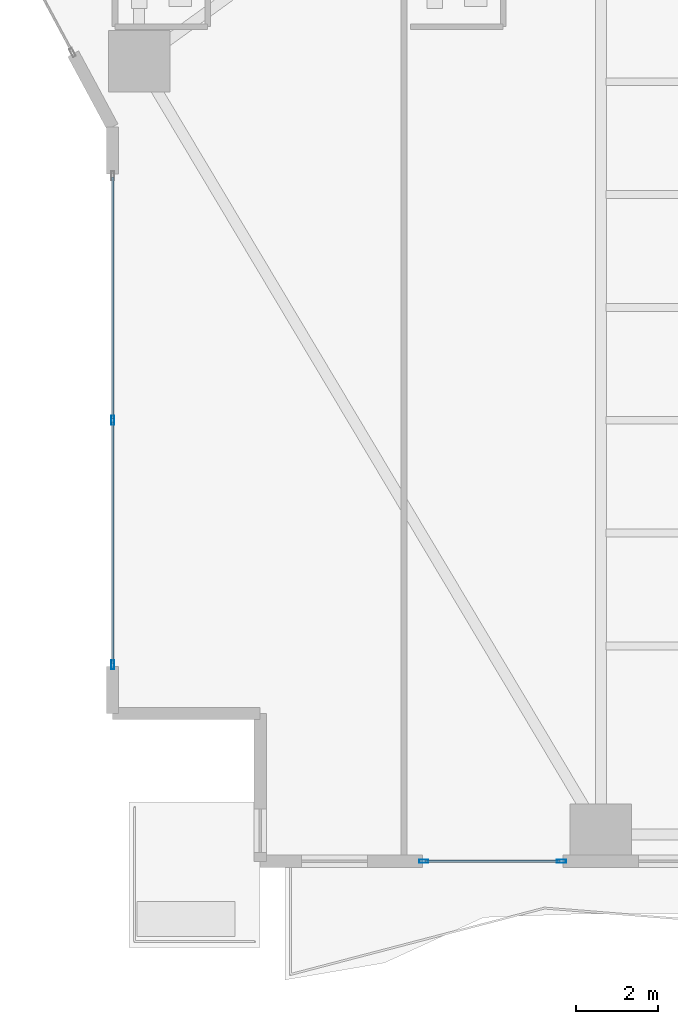
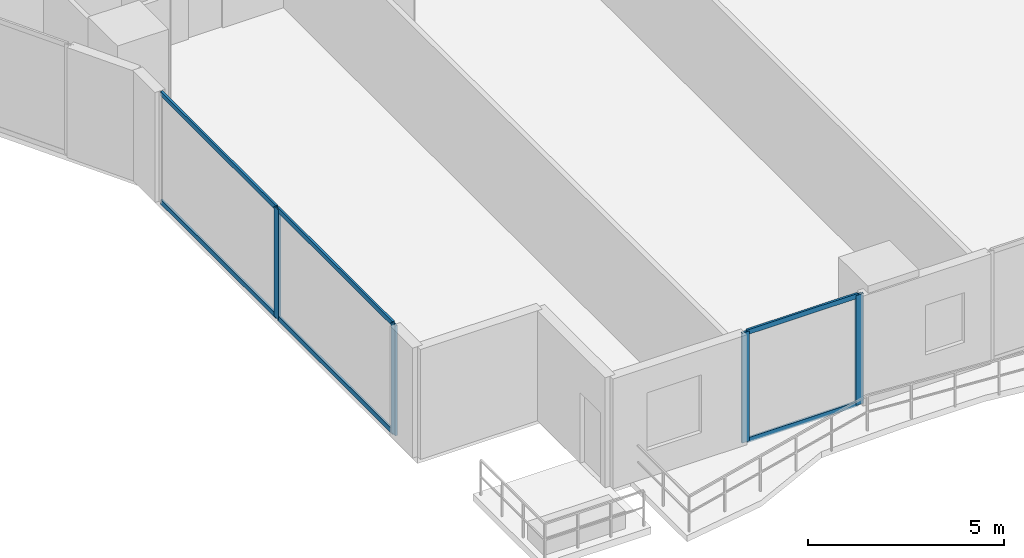
# One storey, part 2 of 28: 10 members, 2 elements without a shape of their own.
"""IFC4 building model written with IfcOpenShell, lengths in metres."""

import ifcopenshell
import ifcopenshell.guid

model = None  # the IFC model being written
_history = None  # IfcOwnerHistory: only IFC2X3 demands one
_inside = {}  # id of a spatial element -> (the spatial element, [elements in it])
_under = {}  # id of a project, library or spatial element -> (it, [spatial elements below it])
_declared = {}  # id of a project -> (the project, [libraries it declares])
_typed = {}  # id of a type object -> (the type object, [elements of that type])
_made_of = {}  # id of a material, layer set ... -> (it, [elements and type objects made of it])


def new_model(schema):
    """Start an empty IFC model of exactly this schema.

    Asked for "IFC4X3", IfcOpenShell would pick the latest addendum, in which some entities
    have other attributes; the version numbers below select the first issue.
    IFC2X3 requires an IfcOwnerHistory on every rooted entity: one is made here for all.
    """
    global model, _history
    if schema == "IFC4X3":
        model = ifcopenshell.file(schema_version=(4, 3, 0, 0))
    else:
        model = ifcopenshell.file(schema=schema)
    _inside.clear()
    _under.clear()
    _declared.clear()
    _typed.clear()
    _made_of.clear()
    _history = None
    if model.schema == "IFC2X3":
        org = make("IfcOrganization", Name="unknown")
        user = make(
            "IfcPersonAndOrganization",
            ThePerson=make("IfcPerson", FamilyName="unknown"),
            TheOrganization=org,
        )
        app = make(
            "IfcApplication",
            ApplicationDeveloper=org,
            Version="unknown",
            ApplicationFullName="unknown",
            ApplicationIdentifier="unknown",
        )
        _history = make(
            "IfcOwnerHistory",
            OwningUser=user,
            OwningApplication=app,
            ChangeAction="ADDED",
            CreationDate=0,
        )
    return model


def make(cls, **values):
    """One entity of the class cls with the attributes given. An attribute that is None is left unset."""
    return model.create_entity(
        cls, **{name: value for name, value in values.items() if value is not None}
    )


def rooted(cls, **values):
    """An entity with a GlobalId (a new one), such as an element, a storey or a relation."""
    return make(cls, GlobalId=ifcopenshell.guid.new(), OwnerHistory=_history, **values)


def si_unit(unit_type, name, prefix=None):
    """IfcSIUnit, for example si_unit("LENGTHUNIT", "METRE", prefix="MILLI")."""
    return make("IfcSIUnit", UnitType=unit_type, Prefix=prefix, Name=name)


def assignment(units):
    """IfcUnitAssignment: the units of a project."""
    return None if units is None else make("IfcUnitAssignment", Units=units)


def point(xyz):
    """IfcCartesianPoint."""
    return None if xyz is None else make("IfcCartesianPoint", Coordinates=xyz)


def direction(xyz):
    """IfcDirection."""
    return None if xyz is None else make("IfcDirection", DirectionRatios=xyz)


def frame(location, z_axis=None, x_axis=None):
    """IfcAxis2Placement3D, a coordinate frame: its origin and axes. An axis left out is left unset."""
    return make(
        "IfcAxis2Placement3D",
        Location=point(location),
        Axis=direction(z_axis),
        RefDirection=direction(x_axis),
    )


def frame_2d(location, x_axis=None):
    """IfcAxis2Placement2D, a coordinate frame in the plane: its origin and x axis."""
    return make(
        "IfcAxis2Placement2D", Location=point(location), RefDirection=direction(x_axis)
    )


def origin():
    """The frame at (0, 0, 0) with its axes left unset."""
    return frame((0.0, 0.0, 0.0))


def origin_2d():
    """The frame at (0, 0) in the plane with its x axis left unset."""
    return frame_2d((0.0, 0.0))


def place(relative_to, where):
    """IfcLocalPlacement: puts the frame where relative to a parent placement (None: the world)."""
    return make(
        "IfcLocalPlacement", PlacementRelTo=relative_to, RelativePlacement=where
    )


def context(
    kind, dimensions, precision=None, world=None, true_north=None, identifier=None
):
    """IfcGeometricRepresentationContext, for example the 3D "Model" context."""
    return make(
        "IfcGeometricRepresentationContext",
        ContextIdentifier=identifier,
        ContextType=kind,
        CoordinateSpaceDimension=dimensions,
        Precision=precision,
        WorldCoordinateSystem=world,
        TrueNorth=true_north,
    )


def subcontext(parent, identifier, kind, view, scale=None):
    """IfcGeometricRepresentationSubContext, for example "Body" below "Model"."""
    return make(
        "IfcGeometricRepresentationSubContext",
        ContextIdentifier=identifier,
        ContextType=kind,
        ParentContext=parent,
        TargetScale=scale,
        TargetView=view,
    )


def project(units=None, contexts=None):
    """IfcProject with its units and contexts."""
    return rooted(
        "IfcProject",
        Name="project",
        RepresentationContexts=contexts,
        UnitsInContext=assignment(units),
    )


def spatial(cls, under=None, at=None, **own):
    """A site, building, storey or space (cls), placed at a placement, below another one or the project."""
    s = rooted(cls, ObjectPlacement=at, **own)
    if under is not None:
        _under.setdefault(under.id(), (under, []))[1].append(s)
    return s


def profile(cls, at=None, kind="AREA", **sizes):
    """A parametric profile (cls). Its sizes go by their IFC names, for example OverallWidth=200.0."""
    return make(cls, ProfileType=kind, Position=at, **sizes)


def hollow_rectangle(**sizes):
    """IfcRectangleHollowProfileDef."""
    return profile("IfcRectangleHollowProfileDef", **sizes)


def extrude(swept, where, along, depth):
    """IfcExtrudedAreaSolid: the profile swept, set in the frame where, extruded along a direction by depth."""
    return make(
        "IfcExtrudedAreaSolid",
        SweptArea=swept,
        Position=where,
        ExtrudedDirection=direction(along),
        Depth=depth,
    )


def shape(context_of_items, identifier, shape_type, items):
    """IfcShapeRepresentation: the items that make up one representation, for example the "Body"."""
    return make(
        "IfcShapeRepresentation",
        ContextOfItems=context_of_items,
        RepresentationIdentifier=identifier,
        RepresentationType=shape_type,
        Items=items,
    )


def material(Name=None, Category=None):
    """IfcMaterial."""
    return make("IfcMaterial", Name=Name, Category=Category)


def layer(
    of_material, thickness, ventilated=None, Name=None, Category=None, Priority=None
):
    """IfcMaterialLayer: one layer of a wall or slab, of a material (None: an air gap)."""
    return make(
        "IfcMaterialLayer",
        Material=of_material,
        LayerThickness=thickness,
        IsVentilated=ventilated,
        Name=Name,
        Category=Category,
        Priority=Priority,
    )


def layer_set(layers, Name=None):
    """IfcMaterialLayerSet."""
    return make("IfcMaterialLayerSet", MaterialLayers=layers, LayerSetName=Name)


def material_profile(
    of_material, cross_section, Name=None, Category=None, Priority=None
):
    """IfcMaterialProfile: a cross section and its material."""
    return make(
        "IfcMaterialProfile",
        Name=Name,
        Material=of_material,
        Profile=cross_section,
        Priority=Priority,
        Category=Category,
    )


def profile_set(profiles, Name=None, composite=None):
    """IfcMaterialProfileSet."""
    return make(
        "IfcMaterialProfileSet",
        Name=Name,
        MaterialProfiles=profiles,
        CompositeProfile=composite,
    )


def made_of(thing, what):
    """Note that an element or type object is made of a material, layer set ...; save() writes the relation."""
    if what is not None:
        _made_of.setdefault(what.id(), (what, []))[1].append(thing)
    return thing


def type_object(cls, material=None, **own):
    """A type object (cls), such as IfcWallType, which elements share."""
    return made_of(rooted(cls, **own), material)


def element(
    cls,
    number,
    at=None,
    inside=None,
    cuts=None,
    type_object=None,
    material=None,
    context=None,
    identifier="Body",
    shape_type=None,
    held_by="IfcProductDefinitionShape",
    body=None,
    shapes=None,
    **own,
):
    """One element of the class cls, such as IfcWall. Its Tag is "e" and its number.

    at: its placement. inside: the storey or other place that contains it. cuts: it is an
    opening in that element (IfcRelVoidsElement). A single representation is given by context,
    identifier, shape_type and body (its items); several are given by shapes. held_by: the class
    of the entity that holds the representations. save() writes the other relations.
    """
    e = rooted(cls, Tag="e%d" % number, ObjectPlacement=at, **own)
    if body is not None:
        shapes = [shape(context, identifier, shape_type, body)]
    if shapes is not None:
        e.Representation = make(held_by, Representations=shapes)
    if inside is not None:
        _inside.setdefault(inside.id(), (inside, []))[1].append(e)
    if cuts is not None:
        rooted(
            "IfcRelVoidsElement", RelatingBuildingElement=cuts, RelatedOpeningElement=e
        )
    if type_object is not None:
        _typed.setdefault(type_object.id(), (type_object, []))[1].append(e)
    return made_of(e, material)


def aggregate(whole, parts):
    """IfcRelAggregates: a whole, such as a stair, and the parts it consists of."""
    return rooted("IfcRelAggregates", RelatingObject=whole, RelatedObjects=parts)


def save(model, path):
    """Write the relations noted so far, then the file.

    IfcRelAggregates (storeys below a building ...), IfcRelContainedInSpatialStructure (elements
    in a storey), IfcRelDefinesByType, IfcRelAssociatesMaterial and IfcRelDeclares: one each for
    every whole, place, type object, material and project.
    """
    for whole, parts in _under.values():
        aggregate(whole, parts)
    for where, things in _inside.values():
        rooted(
            "IfcRelContainedInSpatialStructure",
            RelatedElements=things,
            RelatingStructure=where,
        )
    for kind, things in _typed.values():
        rooted("IfcRelDefinesByType", RelatedObjects=things, RelatingType=kind)
    for what, things in _made_of.values():
        rooted("IfcRelAssociatesMaterial", RelatedObjects=things, RelatingMaterial=what)
    for by, libraries in _declared.values():
        rooted("IfcRelDeclares", RelatingContext=by, RelatedDefinitions=libraries)
    model.write(path)


model = new_model("IFC4")

# Units and contexts
model_context = context("Model", 3, precision=1e-05, world=origin(), true_north=direction((0.0, 1.0)))
body_context = subcontext(model_context, "Body", "Model", "MODEL_VIEW")
ifc_project = project(units=[si_unit("LENGTHUNIT", "METRE"), si_unit("AREAUNIT", "SQUARE_METRE"), si_unit("VOLUMEUNIT", "CUBIC_METRE"), si_unit("PLANEANGLEUNIT", "RADIAN"), si_unit("MASSUNIT", "GRAM", prefix="KILO")], contexts=[model_context])

# Site, building, storey
site_placement = place(None, origin())
site = spatial("IfcSite", under=ifc_project, at=site_placement, CompositionType="ELEMENT")
building_placement = place(site_placement, origin())
building = spatial("IfcBuilding", under=site, at=building_placement, Name="Zuhayl Quay Hotel", CompositionType="ELEMENT")
storey_placement = place(building_placement, frame((0.0, 0.0, 71.39990234375)))
storey = spatial("IfcBuildingStorey", under=building, at=storey_placement, Name="L17", CompositionType="ELEMENT", Elevation=71.39990234375)

# Curtain wall, members
ifc_material_1 = material(Name="Anodised Aluminium 6063-T6", Category="aluminium")
ifc_layer = layer(ifc_material_1, 0.18994140625, Name="Anodised Aluminium 6063-T6", Category="aluminium")
ifc_layer_set = layer_set([ifc_layer], Name="Anodised Aluminium 6063-T6")
curtain_wall_type = type_object("IfcCurtainWallType", Name="CW_SYS_Z1", PredefinedType="USERDEFINED", material=ifc_layer_set)
curtain_wall_1_placement = place(storey_placement, origin())
curtain_wall_1 = element("IfcCurtainWall", 1, at=curtain_wall_1_placement, inside=storey, type_object=curtain_wall_type, Name="L17 Curtain Wall ENV_L17_E02_CW1", ObjectType="UNITISED CURTAIN WALL", PredefinedType="USERDEFINED")
ifc_material_2 = material(Name="Black-anodised aluminium 6063-T6", Category="aluminium")
ifc_material_profile_1 = material_profile(ifc_material_2, hollow_rectangle(XDim=0.074951171875, YDim=0.219970703125, WallThickness=0.00390625, at=origin_2d()), Name="ALU220X75")
ifc_profile_set_1 = profile_set([ifc_material_profile_1], Name="Black-anodised aluminium 6063-T6")
member_type_1 = type_object("IfcMemberType", Name="MB_CW_MUL_220", PredefinedType="MULLION", material=ifc_profile_set_1)
member_1_placement = place(storey_placement, frame((-25.699951171875, -18.3125, 0.0), z_axis=(0.0, 0.0, 1.0), x_axis=(-1.0, 0.0, 0.0)))
member_1 = element("IfcMember", 2, at=member_1_placement, type_object=member_type_1, Name="CW-Z1 mullion 1", PredefinedType="MULLION", context=body_context, shape_type="SweptSolid", body=[
    extrude(hollow_rectangle(XDim=0.074951171875, YDim=0.219970703125, WallThickness=0.00390625, at=origin_2d()), origin(), (0.0, 0.0, 1.0), 3.43017578125),
])
member_2_placement = place(storey_placement, frame((-25.699951171875, -12.35009765625, 0.0), z_axis=(0.0, 0.0, 1.0), x_axis=(-1.0, 0.0, 0.0)))
member_2 = element("IfcMember", 3, at=member_2_placement, type_object=member_type_1, Name="CW-Z1 mullion 2", PredefinedType="MULLION", context=body_context, shape_type="SweptSolid", body=[
    extrude(hollow_rectangle(XDim=0.074951171875, YDim=0.219970703125, WallThickness=0.00390625, at=origin_2d()), origin(), (0.0, 0.0, 1.0), 3.43017578125),
])

curtain_wall_2_placement = place(storey_placement, origin())
curtain_wall_2 = element("IfcCurtainWall", 4, at=curtain_wall_2_placement, inside=storey, type_object=curtain_wall_type, Name="L17 Curtain Wall ENV_L17_S_CW6", ObjectType="UNITISED CURTAIN WALL", PredefinedType="USERDEFINED")
member_3_placement = place(storey_placement, frame((-14.757568359375, -23.10009765625, 0.0), z_axis=(0.0, 0.0, 1.0), x_axis=(0.0, -1.0, 0.0)))
member_3 = element("IfcMember", 5, at=member_3_placement, type_object=member_type_1, Name="CW-Z1 mullion 1", PredefinedType="MULLION", context=body_context, shape_type="SweptSolid", body=[
    extrude(hollow_rectangle(XDim=0.074951171875, YDim=0.219970703125, WallThickness=0.00390625, at=origin_2d()), origin(), (0.0, 0.0, 1.0), 3.43017578125),
])
member_4_placement = place(storey_placement, frame((-18.112548828125, -23.10009765625, 0.0), z_axis=(0.0, 0.0, 1.0), x_axis=(0.0, -1.0, 0.0)))
member_4 = element("IfcMember", 6, at=member_4_placement, type_object=member_type_1, Name="CW-Z1 mullion 2", PredefinedType="MULLION", context=body_context, shape_type="SweptSolid", body=[
    extrude(hollow_rectangle(XDim=0.074951171875, YDim=0.219970703125, WallThickness=0.00390625, at=origin_2d()), origin(), (0.0, 0.0, 1.0), 3.43017578125),
])

# Member
ifc_material_profile_2 = material_profile(ifc_material_2, hollow_rectangle(XDim=0.06005859375, YDim=0.14990234375, WallThickness=0.00341796875, at=origin_2d()), Name="ALU150X60")
ifc_profile_set_2 = profile_set([ifc_material_profile_2], Name="Black-anodised aluminium 6063-T6")
member_type_2 = type_object("IfcMemberType", Name="MB_CW_TRN_150", PredefinedType="USERDEFINED", material=ifc_profile_set_2)
member_5_placement = place(storey_placement, frame((-25.699951171875, -18.27490234375, 0.030029296875), z_axis=(0.0, 1.0, 0.0), x_axis=(-1.0, 0.0, 0.0)))
member_5 = element("IfcMember", 7, at=member_5_placement, type_object=member_type_2, Name="CW-Z1 transom 1.1", ObjectType="TRANSOM", PredefinedType="USERDEFINED", context=body_context, shape_type="SweptSolid", body=[
    extrude(hollow_rectangle(XDim=0.06005859375, YDim=0.14990234375, WallThickness=0.00341796875, at=origin_2d()), origin(), (0.0, 0.0, 1.0), 5.887451171875),
])

member_6_placement = place(storey_placement, frame((-25.699951171875, -18.27490234375, 3.400146484375), z_axis=(0.0, 1.0, 0.0), x_axis=(-1.0, 0.0, 0.0)))
member_6 = element("IfcMember", 8, at=member_6_placement, type_object=member_type_2, Name="CW-Z1 transom 1.2", ObjectType="TRANSOM", PredefinedType="USERDEFINED", context=body_context, shape_type="SweptSolid", body=[
    extrude(hollow_rectangle(XDim=0.06005859375, YDim=0.14990234375, WallThickness=0.00341796875, at=origin_2d()), origin(), (0.0, 0.0, 1.0), 5.887451171875),
])

member_7_placement = place(storey_placement, frame((-25.699951171875, -12.3125, 0.030029296875), z_axis=(0.0, 1.0, 0.0), x_axis=(-1.0, 0.0, 0.0)))
member_7 = element("IfcMember", 9, at=member_7_placement, type_object=member_type_2, Name="CW-Z1 transom 2.1", ObjectType="TRANSOM", PredefinedType="USERDEFINED", context=body_context, shape_type="SweptSolid", body=[
    extrude(hollow_rectangle(XDim=0.06005859375, YDim=0.14990234375, WallThickness=0.00341796875, at=origin_2d()), origin(), (0.0, 0.0, 1.0), 5.887451171875),
])

member_8_placement = place(storey_placement, frame((-25.699951171875, -12.3125, 3.400146484375), z_axis=(0.0, 1.0, 0.0), x_axis=(-1.0, 0.0, 0.0)))
member_8 = element("IfcMember", 10, at=member_8_placement, type_object=member_type_2, Name="CW-Z1 transom 2.2", ObjectType="TRANSOM", PredefinedType="USERDEFINED", context=body_context, shape_type="SweptSolid", body=[
    extrude(hollow_rectangle(XDim=0.06005859375, YDim=0.14990234375, WallThickness=0.00341796875, at=origin_2d()), origin(), (0.0, 0.0, 1.0), 5.887451171875),
])

aggregate(curtain_wall_1, [member_1, member_2, member_5, member_6, member_7, member_8])

member_9_placement = place(storey_placement, frame((-14.794921875, -23.10009765625, 0.030029296875), z_axis=(-1.0, 0.0, 0.0), x_axis=(0.0, -1.0, 0.0)))
member_9 = element("IfcMember", 11, at=member_9_placement, type_object=member_type_2, Name="CW-Z1 transom 1.1", ObjectType="TRANSOM", PredefinedType="USERDEFINED", context=body_context, shape_type="SweptSolid", body=[
    extrude(hollow_rectangle(XDim=0.06005859375, YDim=0.14990234375, WallThickness=0.00341796875, at=origin_2d()), origin(), (0.0, 0.0, 1.0), 3.280029296875),
])

member_10_placement = place(storey_placement, frame((-14.794921875, -23.10009765625, 3.400146484375), z_axis=(-1.0, 0.0, 0.0), x_axis=(0.0, -1.0, 0.0)))
member_10 = element("IfcMember", 12, at=member_10_placement, type_object=member_type_2, Name="CW-Z1 transom 1.2", ObjectType="TRANSOM", PredefinedType="USERDEFINED", context=body_context, shape_type="SweptSolid", body=[
    extrude(hollow_rectangle(XDim=0.06005859375, YDim=0.14990234375, WallThickness=0.00341796875, at=origin_2d()), origin(), (0.0, 0.0, 1.0), 3.280029296875),
])

aggregate(curtain_wall_2, [member_3, member_4, member_9, member_10])

save(model, "model.ifc")
